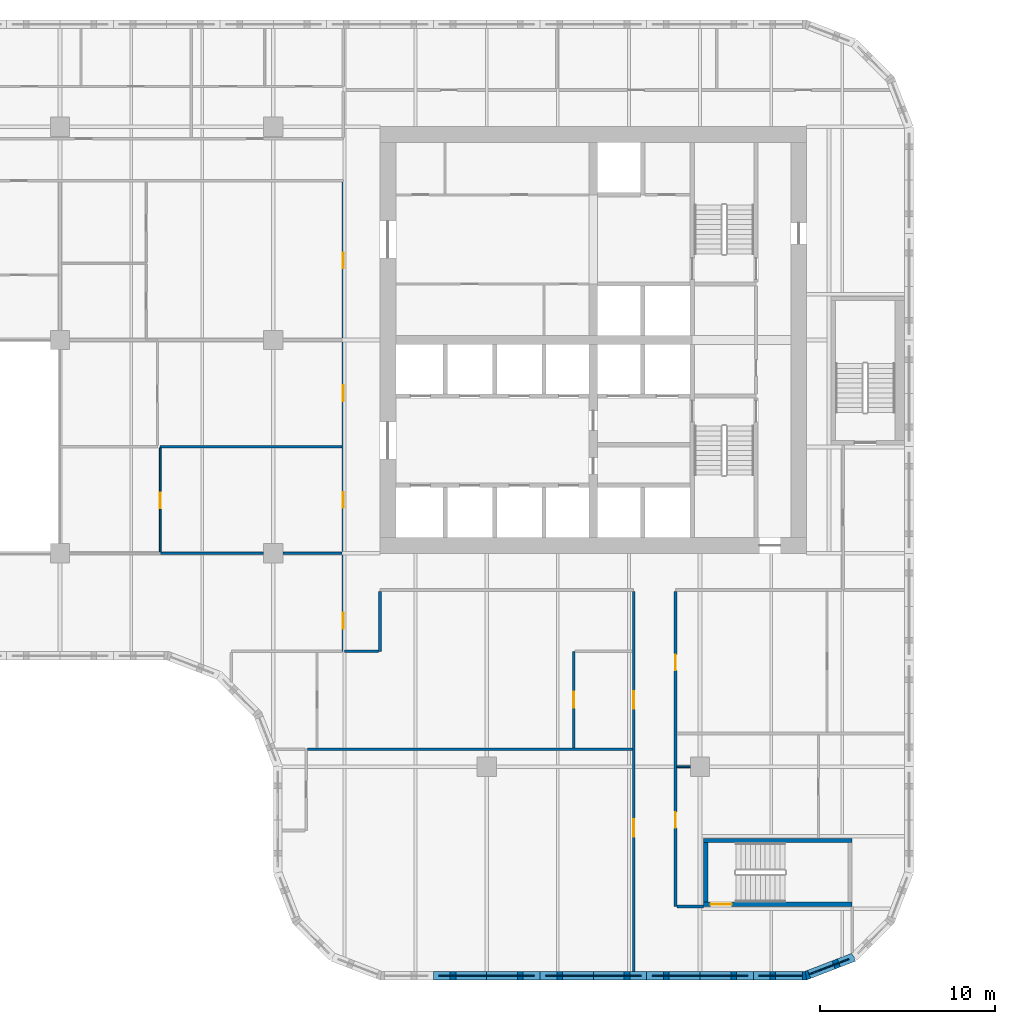
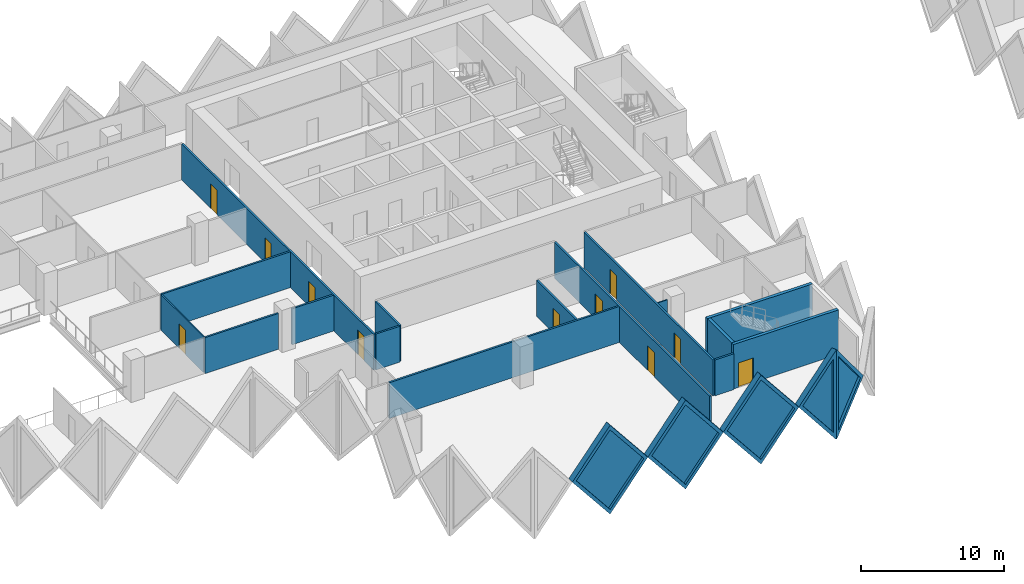
# One storey, part 5 of 18: 21 walls, 11 doors, 5 plates, 16 openings.
"""IFC4 building model written with IfcOpenShell, lengths in metres."""

from ifc_helpers import new_model, si_unit, direction, frame, frame_2d, origin, place, context, subcontext, project, spatial, polyline, rectangle, outline, extrude, faceted_brep, source, transform, mapped, material, layer, layer_set, type_object, element, fill, save


model = new_model("IFC4")

# Units and contexts
model_context = context("Model", 3, precision=1e-05, world=origin(), true_north=direction((0.0, 1.0)))
body_context = subcontext(model_context, "Body", "Model", "MODEL_VIEW")
ifc_project = project(units=[si_unit("LENGTHUNIT", "METRE"), si_unit("AREAUNIT", "SQUARE_METRE"), si_unit("VOLUMEUNIT", "CUBIC_METRE"), si_unit("PLANEANGLEUNIT", "RADIAN"), si_unit("MASSUNIT", "GRAM", prefix="KILO")], contexts=[model_context])

# Site, building, storey
site_placement = place(None, origin())
site = spatial("IfcSite", under=ifc_project, at=site_placement, CompositionType="ELEMENT")
building_placement = place(site_placement, origin())
building = spatial("IfcBuilding", under=site, at=building_placement, Name="Tessera Gate Towers", CompositionType="ELEMENT")
storey_placement = place(building_placement, frame((0.0, 0.0, 41.0)))
storey = spatial("IfcBuildingStorey", under=building, at=storey_placement, Name="L09", CompositionType="ELEMENT", Elevation=41.0)

# Wall, opening, door
ifc_material_1 = material(Name="Concrete C40/50", Category="concrete")
ifc_layer_1 = layer(ifc_material_1, 0.25)
ifc_layer_set_1 = layer_set([ifc_layer_1], Name="CORE ENCLOSURE WALL 250")
wall_type_1 = type_object("IfcWallType", Name="CORE ENCLOSURE WALL 250", PredefinedType="SOLIDWALL", material=ifc_layer_set_1)
wall_1_placement = place(storey_placement, frame((57.5, 4.324951171875, 0.0), z_axis=(0.0, 0.0, 1.0), x_axis=(-1.0, 0.0, 0.0)))
wall_1 = element("IfcWall", 1, at=wall_1_placement, inside=storey, type_object=wall_type_1, Name="L09 ST4 enclosure wall", PredefinedType="SOLIDWALL", context=body_context, shape_type="SweptSolid", body=[
    extrude(rectangle(XDim=8.5, YDim=0.25, at=frame_2d((4.25, 0.0))), origin(), (0.0, 0.0, 1.0), 3.800048828125),
])
shared_shape_1 = source(origin(), body_context, "Body", "SweptSolid", [
    extrude(rectangle(XDim=1.199951171875, YDim=2.10009765625, at=frame_2d((0.60009765625, 1.050048828125))), frame((0.0, 0.135009765625, 0.0), z_axis=(0.0, -1.0, 0.0), x_axis=(1.0, 0.0, 0.0)), (0.0, 0.0, 1.0), 0.27001953125),
])
opening_1_placement = place(wall_1_placement, frame((6.89990234375, 0.0, 0.0)))
opening_1 = element("IfcOpeningElement", 2, at=opening_1_placement, cuts=wall_1, Name="Opening SD-ST4-1", PredefinedType="OPENING", context=body_context, shape_type="MappedRepresentation", body=[
    mapped(shared_shape_1, transform((0.0, 0.0, 0.0), scale=1.0)),
])
ifc_material_2 = material(Name="Hollow steel fire door", Category="steel")
door_type_1 = type_object("IfcDoorType", Name="CORE DOOR SD 1200x2100", OperationType="NOTDEFINED", PredefinedType="DOOR", material=ifc_material_2)
shared_shape_2 = source(origin(), body_context, "Body", "SweptSolid", [
    extrude(rectangle(XDim=1.199951171875, YDim=2.10009765625, at=frame_2d((0.60009765625, 1.050048828125))), frame((0.0, 0.02490234375, 0.0), z_axis=(0.0, -1.0, 0.0), x_axis=(1.0, 0.0, 0.0)), (0.0, 0.0, 1.0), 0.050048828125),
])
door_1_placement = place(opening_1_placement, origin())
door_1 = element("IfcDoor", 3, at=door_1_placement, inside=storey, type_object=door_type_1, Name="Stair door", OperationType="SINGLE_SWING_RIGHT", OverallHeight=2.10009765625, OverallWidth=1.199951171875, PredefinedType="DOOR", context=body_context, shape_type="MappedRepresentation", body=[
    mapped(shared_shape_2, transform((0.0, 0.0, 0.0), scale=1.0)),
])
fill(opening_1, door_1)

# Walls
wall_2_placement = place(storey_placement, frame((49.125, 4.449951171875, 0.0), z_axis=(0.0, 0.0, 1.0), x_axis=(0.0, 1.0, 0.0)))
element("IfcWall", 4, at=wall_2_placement, inside=storey, type_object=wall_type_1, Name="L09 ST4 enclosure wall", PredefinedType="SOLIDWALL", context=body_context, shape_type="SweptSolid", body=[
    extrude(rectangle(XDim=3.400146484375, YDim=0.25, at=frame_2d((1.7001953125, 0.0))), origin(), (0.0, 0.0, 1.0), 3.800048828125),
])
wall_3_placement = place(storey_placement, frame((49.0, 7.97509765625, 0.0), z_axis=(0.0, 0.0, 1.0), x_axis=(1.0, 0.0, 0.0)))
element("IfcWall", 5, at=wall_3_placement, inside=storey, type_object=wall_type_1, Name="L09 ST4 enclosure wall", PredefinedType="SOLIDWALL", context=body_context, shape_type="SweptSolid", body=[
    extrude(rectangle(XDim=8.5, YDim=0.25, at=frame_2d((4.25, 0.0))), origin(), (0.0, 0.0, 1.0), 3.800048828125),
])

# Wall, openings, doors
ifc_material_3 = material(Name="Gypsum board on steel studs, mineral wool", Category="steel")
ifc_layer_2 = layer(ifc_material_3, 0.14990234375)
ifc_layer_set_2 = layer_set([ifc_layer_2], Name="CORRIDOR WALL 150")
wall_type_2 = type_object("IfcWallType", Name="CORRIDOR WALL 150", PredefinedType="PARTITIONING", material=ifc_layer_set_2)
wall_4_placement = place(storey_placement, frame((45.0, 0.5, 0.0), z_axis=(0.0, 0.0, 1.0), x_axis=(0.0, 1.0, 0.0)))
wall_4 = element("IfcWall", 6, at=wall_4_placement, inside=storey, type_object=wall_type_2, Name="T1-L09-PW-001", PredefinedType="PARTITIONING", context=body_context, shape_type="SweptSolid", body=[
    extrude(rectangle(XDim=21.72412109375, YDim=0.14990234375, at=frame_2d((10.862060546875, 0.0))), origin(), (0.0, 0.0, 1.0), 3.06689453125),
])
shared_shape_3 = source(origin(), body_context, "Body", "SweptSolid", [
    extrude(rectangle(XDim=1.0, YDim=2.10009765625, at=frame_2d((0.5, 1.050048828125))), frame((0.0, 0.0849609375, 0.0), z_axis=(0.0, -1.0, 0.0), x_axis=(1.0, 0.0, 0.0)), (0.0, 0.0, 1.0), 0.169921875),
])
opening_2_placement = place(wall_4_placement, frame((15.0009765625, 0.0, 0.0)))
opening_2 = element("IfcOpeningElement", 7, at=opening_2_placement, cuts=wall_4, Name="Opening D2100FD60-A03-01", PredefinedType="OPENING", context=body_context, shape_type="MappedRepresentation", body=[
    mapped(shared_shape_3, transform((0.0, 0.0, 0.0), scale=1.0)),
])
opening_3_placement = place(wall_4_placement, frame((7.699951171875, 0.0, 0.0)))
opening_3 = element("IfcOpeningElement", 8, at=opening_3_placement, cuts=wall_4, Name="Opening D2100FD60-A03-02", PredefinedType="OPENING", context=body_context, shape_type="MappedRepresentation", body=[
    mapped(shared_shape_3, transform((0.0, 0.0, 0.0), scale=1.0)),
])
ifc_material_4 = material(Name="Timber door leaf in steel frame", Category="steel")
door_type_2 = type_object("IfcDoorType", Name="TENANCY ENTRANCE DOOR 1000 FD60", OperationType="NOTDEFINED", PredefinedType="DOOR", material=ifc_material_4)
shared_shape_4 = source(origin(), body_context, "Body", "SweptSolid", [
    extrude(rectangle(XDim=1.0, YDim=2.10009765625, at=frame_2d((0.5, 1.050048828125))), frame((0.0, 0.02490234375, 0.0), z_axis=(0.0, -1.0, 0.0), x_axis=(1.0, 0.0, 0.0)), (0.0, 0.0, 1.0), 0.050048828125),
])
door_2_placement = place(opening_2_placement, origin())
door_2 = element("IfcDoor", 9, at=door_2_placement, inside=storey, type_object=door_type_2, Name="T1-L09-PD-010", OperationType="SINGLE_SWING_LEFT", OverallHeight=2.10009765625, OverallWidth=1.0, PredefinedType="DOOR", context=body_context, shape_type="MappedRepresentation", body=[
    mapped(shared_shape_4, transform((0.0, 0.0, 0.0), scale=1.0)),
])
fill(opening_2, door_2)
door_3_placement = place(opening_3_placement, origin())
door_3 = element("IfcDoor", 10, at=door_3_placement, inside=storey, type_object=door_type_2, Name="T1-L09-PD-024", OperationType="SINGLE_SWING_LEFT", OverallHeight=2.10009765625, OverallWidth=1.0, PredefinedType="DOOR", context=body_context, shape_type="MappedRepresentation", body=[
    mapped(shared_shape_4, transform((0.0, 0.0, 0.0), scale=1.0)),
])
fill(opening_3, door_3)

wall_5_placement = place(storey_placement, frame((47.39990234375, 22.22412109375, 0.0), z_axis=(0.0, 0.0, 1.0), x_axis=(0.0, -1.0, 0.0)))
wall_5 = element("IfcWall", 11, at=wall_5_placement, inside=storey, type_object=wall_type_2, Name="T1-L09-PW-003", PredefinedType="PARTITIONING", context=body_context, shape_type="SweptSolid", body=[
    extrude(rectangle(XDim=18.024169921875, YDim=0.14990234375, at=frame_2d((9.01220703125, 0.0))), origin(), (0.0, 0.0, 1.0), 3.06689453125),
])
shared_shape_5 = source(origin(), body_context, "Body", "SweptSolid", [
    extrude(rectangle(XDim=0.89990234375, YDim=2.10009765625, at=frame_2d((0.449951171875, 1.050048828125))), frame((0.0, 0.0849609375, 0.0), z_axis=(0.0, -1.0, 0.0), x_axis=(1.0, 0.0, 0.0)), (0.0, 0.0, 1.0), 0.169921875),
])
opening_4_placement = place(wall_5_placement, frame((3.623046875, 0.0, 0.0)))
opening_4 = element("IfcOpeningElement", 12, at=opening_4_placement, cuts=wall_5, Name="Opening D890FD60-A03-05", PredefinedType="OPENING", context=body_context, shape_type="MappedRepresentation", body=[
    mapped(shared_shape_5, transform((0.0, 0.0, 0.0), scale=1.0)),
])
opening_5_placement = place(wall_5_placement, frame((12.6240234375, 0.0, 0.0)))
opening_5 = element("IfcOpeningElement", 13, at=opening_5_placement, cuts=wall_5, Name="Opening D890FD60-A03-10", PredefinedType="OPENING", context=body_context, shape_type="MappedRepresentation", body=[
    mapped(shared_shape_5, transform((0.0, 0.0, 0.0), scale=1.0)),
])
ifc_material_5 = material(Name="Timber door leaf in steel frame", Category="steel")
door_type_3 = type_object("IfcDoorType", Name="CORRIDOR DOOR 900 FD60", OperationType="NOTDEFINED", PredefinedType="DOOR", material=ifc_material_5)
shared_shape_6 = source(origin(), body_context, "Body", "SweptSolid", [
    extrude(rectangle(XDim=0.89990234375, YDim=2.10009765625, at=frame_2d((0.449951171875, 1.050048828125))), frame((0.0, 0.02490234375, 0.0), z_axis=(0.0, -1.0, 0.0), x_axis=(1.0, 0.0, 0.0)), (0.0, 0.0, 1.0), 0.050048828125),
])
door_4_placement = place(opening_4_placement, origin())
door_4 = element("IfcDoor", 14, at=door_4_placement, inside=storey, type_object=door_type_3, Name="T1-L09-PD-020", OperationType="SINGLE_SWING_RIGHT", OverallHeight=2.10009765625, OverallWidth=0.89990234375, PredefinedType="DOOR", context=body_context, shape_type="MappedRepresentation", body=[
    mapped(shared_shape_6, transform((0.0, 0.0, 0.0), scale=1.0)),
])
fill(opening_4, door_4)
door_5_placement = place(opening_5_placement, origin())
door_5 = element("IfcDoor", 15, at=door_5_placement, inside=storey, type_object=door_type_3, Name="T1-L09-PD-027", OperationType="SINGLE_SWING_RIGHT", OverallHeight=2.10009765625, OverallWidth=0.89990234375, PredefinedType="DOOR", context=body_context, shape_type="MappedRepresentation", body=[
    mapped(shared_shape_6, transform((0.0, 0.0, 0.0), scale=1.0)),
])
fill(opening_5, door_5)

# Wall
wall_6_placement = place(storey_placement, frame((47.47607421875, 4.199951171875, 0.0), z_axis=(0.0, 0.0, 1.0), x_axis=(1.0, 0.0, 0.0)))
element("IfcWall", 16, at=wall_6_placement, inside=storey, type_object=wall_type_2, Name="T1-L09-PW-004", PredefinedType="PARTITIONING", context=body_context, shape_type="SweptSolid", body=[
    extrude(rectangle(XDim=1.52392578125, YDim=0.14990234375, at=frame_2d((0.761962890625, 0.0))), origin(), (0.0, 0.0, 1.0), 3.06689453125),
])

# Wall, openings, doors
wall_7_placement = place(storey_placement, frame((28.39990234375, 18.800048828125, 0.0), z_axis=(0.0, 0.0, 1.0), x_axis=(0.0, 1.0, 0.0)))
wall_7 = element("IfcWall", 17, at=wall_7_placement, inside=storey, type_object=wall_type_2, Name="T1-L09-PW-017", PredefinedType="PARTITIONING", context=body_context, shape_type="SweptSolid", body=[
    extrude(rectangle(XDim=26.823974609375, YDim=0.14990234375, at=frame_2d((13.412109375, 0.0))), origin(), (0.0, 0.0, 1.0), 3.06689453125),
])
opening_6_placement = place(wall_7_placement, frame((1.300048828125, 0.0, 0.0)))
opening_6 = element("IfcOpeningElement", 18, at=opening_6_placement, cuts=wall_7, Name="Opening D890FD60-A03-01", PredefinedType="OPENING", context=body_context, shape_type="MappedRepresentation", body=[
    mapped(shared_shape_5, transform((0.0, 0.0, 0.0), scale=1.0)),
])
opening_7_placement = place(wall_7_placement, frame((14.301025390625, 0.0, 0.0)))
opening_7 = element("IfcOpeningElement", 19, at=opening_7_placement, cuts=wall_7, Name="Opening D890FD60-A03-03", PredefinedType="OPENING", context=body_context, shape_type="MappedRepresentation", body=[
    mapped(shared_shape_5, transform((0.0, 0.0, 0.0), scale=1.0)),
])
opening_8_placement = place(wall_7_placement, frame((8.199951171875, 0.0, 0.0)))
opening_8 = element("IfcOpeningElement", 20, at=opening_8_placement, cuts=wall_7, Name="Opening D890FD60-A03-04", PredefinedType="OPENING", context=body_context, shape_type="MappedRepresentation", body=[
    mapped(shared_shape_5, transform((0.0, 0.0, 0.0), scale=1.0)),
])
opening_9_placement = place(wall_7_placement, frame((21.89990234375, 0.0, 0.0)))
opening_9 = element("IfcOpeningElement", 21, at=opening_9_placement, cuts=wall_7, Name="Opening D890FD60-A03-08", PredefinedType="OPENING", context=body_context, shape_type="MappedRepresentation", body=[
    mapped(shared_shape_5, transform((0.0, 0.0, 0.0), scale=1.0)),
])
door_6_placement = place(opening_6_placement, origin())
door_6 = element("IfcDoor", 22, at=door_6_placement, inside=storey, type_object=door_type_3, Name="T1-L09-PD-001", OperationType="SINGLE_SWING_LEFT", OverallHeight=2.10009765625, OverallWidth=0.89990234375, PredefinedType="DOOR", context=body_context, shape_type="MappedRepresentation", body=[
    mapped(shared_shape_6, transform((0.0, 0.0, 0.0), scale=1.0)),
])
fill(opening_6, door_6)
door_7_placement = place(opening_7_placement, origin())
door_7 = element("IfcDoor", 23, at=door_7_placement, inside=storey, type_object=door_type_3, Name="T1-L09-PD-016", OperationType="SINGLE_SWING_LEFT", OverallHeight=2.10009765625, OverallWidth=0.89990234375, PredefinedType="DOOR", context=body_context, shape_type="MappedRepresentation", body=[
    mapped(shared_shape_6, transform((0.0, 0.0, 0.0), scale=1.0)),
])
fill(opening_7, door_7)
door_8_placement = place(opening_8_placement, origin())
door_8 = element("IfcDoor", 24, at=door_8_placement, inside=storey, type_object=door_type_3, Name="T1-L09-PD-017", OperationType="SINGLE_SWING_LEFT", OverallHeight=2.10009765625, OverallWidth=0.89990234375, PredefinedType="DOOR", context=body_context, shape_type="MappedRepresentation", body=[
    mapped(shared_shape_6, transform((0.0, 0.0, 0.0), scale=1.0)),
])
fill(opening_8, door_8)
door_9_placement = place(opening_9_placement, origin())
door_9 = element("IfcDoor", 25, at=door_9_placement, inside=storey, type_object=door_type_3, Name="T1-L09-PD-025", OperationType="SINGLE_SWING_LEFT", OverallHeight=2.10009765625, OverallWidth=0.89990234375, PredefinedType="DOOR", context=body_context, shape_type="MappedRepresentation", body=[
    mapped(shared_shape_6, transform((0.0, 0.0, 0.0), scale=1.0)),
])
fill(opening_9, door_9)

# Walls
wall_8_placement = place(storey_placement, frame((28.47607421875, 18.800048828125, 0.0), z_axis=(0.0, 0.0, 1.0), x_axis=(1.0, 0.0, 0.0)))
element("IfcWall", 26, at=wall_8_placement, inside=storey, type_object=wall_type_2, Name="T1-L09-PW-018", PredefinedType="PARTITIONING", context=body_context, shape_type="SweptSolid", body=[
    extrude(rectangle(XDim=1.947998046875, YDim=0.14990234375, at=frame_2d((0.97412109375, 0.0))), origin(), (0.0, 0.0, 1.0), 3.06689453125),
])
wall_9_placement = place(storey_placement, frame((30.5, 18.800048828125, 0.0), z_axis=(0.0, 0.0, 1.0), x_axis=(0.0, 1.0, 0.0)))
element("IfcWall", 27, at=wall_9_placement, inside=storey, type_object=wall_type_2, Name="T1-L09-PW-019", PredefinedType="PARTITIONING", context=body_context, shape_type="SweptSolid", body=[
    extrude(rectangle(XDim=3.424072265625, YDim=0.14990234375, at=frame_2d((1.7119140625, 0.0))), origin(), (0.0, 0.0, 1.0), 3.06689453125),
])

# Wall, opening, door
ifc_material_6 = material(Name="Glass", Category="glass")
ifc_layer_3 = layer(ifc_material_6, 0.10009765625)
ifc_layer_set_3 = layer_set([ifc_layer_3], Name="GLAZED PARTITION 100")
wall_type_3 = type_object("IfcWallType", Name="GLAZED PARTITION 100", PredefinedType="PARTITIONING", material=ifc_layer_set_3)
wall_10_placement = place(storey_placement, frame((17.925048828125, 24.47607421875, 0.0), z_axis=(0.0, 0.0, 1.0), x_axis=(0.0, 1.0, 0.0)))
wall_10 = element("IfcWall", 28, at=wall_10_placement, inside=storey, type_object=wall_type_3, Name="T1-L09-PW-029", PredefinedType="PARTITIONING", context=body_context, shape_type="SweptSolid", body=[
    extrude(rectangle(XDim=5.947998046875, YDim=0.10009765625, at=frame_2d((2.97412109375, 0.0))), origin(), (0.0, 0.0, 1.0), 3.06689453125),
])
shared_shape_7 = source(origin(), body_context, "Body", "SweptSolid", [
    extrude(rectangle(XDim=0.89990234375, YDim=2.10009765625, at=frame_2d((0.449951171875, 1.050048828125))), frame((0.0, 0.06005859375, 0.0), z_axis=(0.0, -1.0, 0.0), x_axis=(1.0, 0.0, 0.0)), (0.0, 0.0, 1.0), 0.1201171875),
])
opening_10_placement = place(wall_10_placement, frame((2.5, 0.0, 0.0)))
opening_10 = element("IfcOpeningElement", 29, at=opening_10_placement, cuts=wall_10, Name="Opening D690-A03-02", PredefinedType="OPENING", context=body_context, shape_type="MappedRepresentation", body=[
    mapped(shared_shape_7, transform((0.0, 0.0, 0.0), scale=1.0)),
])
ifc_material_7 = material(Name="Glass in aluminium frame", Category="aluminium")
door_type_4 = type_object("IfcDoorType", Name="GLAZED DOOR 900 NOT RATED", OperationType="NOTDEFINED", PredefinedType="DOOR", material=ifc_material_7)
door_10_placement = place(opening_10_placement, origin())
door_10 = element("IfcDoor", 30, at=door_10_placement, inside=storey, type_object=door_type_4, Name="T1-L09-PD-013", OperationType="SINGLE_SWING_LEFT", OverallHeight=2.10009765625, OverallWidth=0.89990234375, PredefinedType="DOOR", context=body_context, shape_type="MappedRepresentation", body=[
    mapped(shared_shape_6, transform((0.0, 0.0, 0.0), scale=1.0)),
])
fill(opening_10, door_10)

# Walls
ifc_material_8 = material(Name="Gypsum board on steel studs", Category="steel")
ifc_layer_4 = layer(ifc_material_8, 0.10009765625)
ifc_layer_set_4 = layer_set([ifc_layer_4], Name="PARTITION 100")
wall_type_4 = type_object("IfcWallType", Name="PARTITION 100", PredefinedType="PARTITIONING", material=ifc_layer_set_4)
wall_11_placement = place(storey_placement, frame((48.25, 12.199951171875, 0.0), z_axis=(0.0, 0.0, 1.0), x_axis=(-1.0, 0.0, 0.0)))
element("IfcWall", 31, at=wall_11_placement, inside=storey, type_object=wall_type_4, Name="T1-L09-PW-008", PredefinedType="PARTITIONING", context=body_context, shape_type="SweptSolid", body=[
    extrude(rectangle(XDim=0.77490234375, YDim=0.10009765625, at=frame_2d((0.387451171875, 0.0))), origin(), (0.0, 0.0, 1.0), 3.06689453125),
])
ifc_material_9 = material(Name="Gypsum board on steel studs, mineral wool", Category="steel")
ifc_layer_5 = layer(ifc_material_9, 0.14990234375)
ifc_layer_set_5 = layer_set([ifc_layer_5], Name="TENANCY WALL 150")
wall_type_5 = type_object("IfcWallType", Name="TENANCY WALL 150", PredefinedType="PARTITIONING", material=ifc_layer_set_5)
wall_12_placement = place(storey_placement, frame((26.35107421875, 13.199951171875, 0.0), z_axis=(0.0, 0.0, 1.0), x_axis=(1.0, 0.0, 0.0)))
element("IfcWall", 32, at=wall_12_placement, inside=storey, type_object=wall_type_5, Name="T1-L09-PW-010", PredefinedType="PARTITIONING", context=body_context, shape_type="SweptSolid", body=[
    extrude(rectangle(XDim=18.572998046875, YDim=0.14990234375, at=frame_2d((9.28662109375, 0.0))), origin(), (0.0, 0.0, 1.0), 3.06689453125),
])

# Wall, opening, door
wall_13_placement = place(storey_placement, frame((41.574951171875, 13.27587890625, 0.0), z_axis=(0.0, 0.0, 1.0), x_axis=(0.0, 1.0, 0.0)))
wall_13 = element("IfcWall", 33, at=wall_13_placement, inside=storey, type_object=wall_type_5, Name="T1-L09-PW-012", PredefinedType="PARTITIONING", context=body_context, shape_type="SweptSolid", body=[
    extrude(rectangle(XDim=5.524169921875, YDim=0.14990234375, at=frame_2d((2.76220703125, 0.0))), origin(), (0.0, 0.0, 1.0), 3.06689453125),
])
opening_11_placement = place(wall_13_placement, frame((2.300048828125, 0.0, 0.0)))
opening_11 = element("IfcOpeningElement", 34, at=opening_11_placement, cuts=wall_13, Name="Opening D190-A03-11", PredefinedType="OPENING", context=body_context, shape_type="MappedRepresentation", body=[
    mapped(shared_shape_5, transform((0.0, 0.0, 0.0), scale=1.0)),
])
ifc_material_10 = material(Name="Timber door leaf in steel frame", Category="steel")
door_type_5 = type_object("IfcDoorType", Name="INTERNAL DOOR 900 NOT RATED", OperationType="NOTDEFINED", PredefinedType="DOOR", material=ifc_material_10)
door_11_placement = place(opening_11_placement, origin())
door_11 = element("IfcDoor", 35, at=door_11_placement, inside=storey, type_object=door_type_5, Name="T1-L09-PD-023", OperationType="SINGLE_SWING_LEFT", OverallHeight=2.10009765625, OverallWidth=0.89990234375, PredefinedType="DOOR", context=body_context, shape_type="MappedRepresentation", body=[
    mapped(shared_shape_6, transform((0.0, 0.0, 0.0), scale=1.0)),
])
fill(opening_11, door_11)

# Walls
wall_14_placement = place(storey_placement, frame((17.925048828125, 24.39990234375, 0.0), z_axis=(0.0, 0.0, 1.0), x_axis=(1.0, 0.0, 0.0)))
element("IfcWall", 36, at=wall_14_placement, inside=storey, type_object=wall_type_5, Name="T1-L09-PW-027", PredefinedType="PARTITIONING", context=body_context, shape_type="SweptSolid", body=[
    extrude(rectangle(XDim=5.924072265625, YDim=0.14990234375, at=frame_2d((2.9619140625, 0.0))), origin(), (0.0, 0.0, 1.0), 3.06689453125),
])
wall_15_placement = place(storey_placement, frame((24.950927734375, 24.39990234375, 0.0), z_axis=(0.0, 0.0, 1.0), x_axis=(1.0, 0.0, 0.0)))
element("IfcWall", 37, at=wall_15_placement, inside=storey, type_object=wall_type_5, Name="T1-L09-PW-028", PredefinedType="PARTITIONING", context=body_context, shape_type="SweptSolid", body=[
    extrude(rectangle(XDim=3.373046875, YDim=0.14990234375, at=frame_2d((1.6865234375, 0.0))), origin(), (0.0, 0.0, 1.0), 3.06689453125),
])
wall_16_placement = place(storey_placement, frame((17.925048828125, 30.5, 0.0), z_axis=(0.0, 0.0, 1.0), x_axis=(1.0, 0.0, 0.0)))
element("IfcWall", 38, at=wall_16_placement, inside=storey, type_object=wall_type_5, Name="T1-L09-PW-031", PredefinedType="PARTITIONING", context=body_context, shape_type="SweptSolid", body=[
    extrude(rectangle(XDim=10.39892578125, YDim=0.14990234375, at=frame_2d((5.199462890625, 0.0))), origin(), (0.0, 0.0, 1.0), 3.06689453125),
])

# Wall, opening, plate
ifc_material_11 = material(Name="Precast concrete C60/75 white", Category="concrete")
ifc_layer_6 = layer(ifc_material_11, 0.5)
ifc_layer_set_6 = layer_set([ifc_layer_6], Name="TS1 tessera")
wall_type_6 = type_object("IfcWallType", Name="TS1 tessera", PredefinedType="SOLIDWALL", material=ifc_layer_set_6)
shared_shape_8 = source(origin(), body_context, "Body", "Brep", [
    faceted_brep([(3.050048828125, -0.25, 0.0), (6.099853515625, -0.25, 3.7998046875), (6.099853515625, -0.25, 3.80029296875), (3.050048828125, -0.25, 7.60009765625), (0.0, -0.25, 3.800048828125), (0.0, 0.25, 3.800048828125), (3.050048828125, 0.25, 7.60009765625), (6.099853515625, 0.25, 3.80029296875), (6.099853515625, 0.25, 3.7998046875), (3.050048828125, 0.25, 0.0)], [[[0, 1, 2, 3, 4]], [[5, 6, 7, 8, 9]], [[9, 8, 1, 0]], [[7, 6, 3, 2]], [[6, 5, 4, 3]], [[5, 9, 0, 4]], [[1, 8, 7, 2]]]),
])
wall_17_placement = place(storey_placement, frame((33.550048828125, 0.25, -3.800048828125), z_axis=(0.0, 0.0, 1.0), x_axis=(1.0, 0.0, 0.0)))
wall_17 = element("IfcWall", 39, at=wall_17_placement, inside=storey, type_object=wall_type_6, Name="Precast tessera T1 TS1-0092", PredefinedType="SOLIDWALL", context=body_context, shape_type="MappedRepresentation", body=[
    mapped(shared_shape_8, transform((0.0, 0.0, 0.0), scale=1.0)),
])
shared_shape_9 = source(origin(), body_context, "Body", "SweptSolid", [
    extrude(outline(polyline([(3.050048828125, 0.3994140625), (5.779541015625, 3.800048828125), (3.050048828125, 7.20068359375), (0.320556640625, 3.800048828125), (3.050048828125, 0.3994140625)])), frame((0.0, 0.260009765625, 0.0), z_axis=(0.0, -1.0, 0.0), x_axis=(1.0, 0.0, 0.0)), (0.0, 0.0, 1.0), 0.52001953125),
])
opening_12_placement = place(wall_17_placement, origin())
opening_12 = element("IfcOpeningElement", 40, at=opening_12_placement, cuts=wall_17, Name="Opening T1-PL2-0190", PredefinedType="OPENING", context=body_context, shape_type="MappedRepresentation", body=[
    mapped(shared_shape_9, transform((0.0, 0.0, 0.0), scale=1.0)),
])
ifc_material_12 = material(Name="Low-e laminated glass", Category="glass")
ifc_layer_7 = layer(ifc_material_12, 0.06005859375)
ifc_layer_set_7 = layer_set([ifc_layer_7], Name="PL2 rhombic pane")
plate_type = type_object("IfcPlateType", Name="PL2 rhombic pane", PredefinedType="SHEET", material=ifc_layer_set_7)
shared_shape_10 = source(origin(), body_context, "Body", "SweptSolid", [
    extrude(outline(polyline([(3.050048828125, 0.3994140625), (5.779541015625, 3.800048828125), (3.050048828125, 7.20068359375), (0.320556640625, 3.800048828125), (3.050048828125, 0.3994140625)])), frame((0.0, 0.030029296875, 0.0), z_axis=(0.0, -1.0, 0.0), x_axis=(1.0, 0.0, 0.0)), (0.0, 0.0, 1.0), 0.06005859375),
])
plate_1_placement = place(opening_12_placement, origin())
plate_1 = element("IfcPlate", 41, at=plate_1_placement, inside=storey, type_object=plate_type, Name="Glass pane T1 PL2-0190", PredefinedType="SHEET", context=body_context, shape_type="MappedRepresentation", body=[
    mapped(shared_shape_10, transform((0.0, 0.0, 0.0), scale=1.0)),
])
fill(opening_12, plate_1)

shared_shape_11 = source(origin(), body_context, "Body", "SweptSolid", [
    extrude(outline(polyline([(3.050048828125, 0.0), (6.10009765625, 3.800048828125), (3.050048828125, 7.60009765625), (0.0, 3.800048828125), (3.050048828125, 0.0)])), frame((0.0, 0.25, 0.0), z_axis=(0.0, -1.0, 0.0), x_axis=(1.0, 0.0, 0.0)), (0.0, 0.0, 1.0), 0.5),
])
wall_18_placement = place(storey_placement, frame((39.64990234375, 0.25, -3.800048828125), z_axis=(0.0, 0.0, 1.0), x_axis=(1.0, 0.0, 0.0)))
wall_18 = element("IfcWall", 42, at=wall_18_placement, inside=storey, type_object=wall_type_6, Name="Precast tessera T1 TS1-0093", PredefinedType="SOLIDWALL", context=body_context, shape_type="MappedRepresentation", body=[
    mapped(shared_shape_11, transform((0.0, 0.0, 0.0), scale=1.0)),
])
opening_13_placement = place(wall_18_placement, origin())
opening_13 = element("IfcOpeningElement", 43, at=opening_13_placement, cuts=wall_18, Name="Opening T1-PL2-0191", PredefinedType="OPENING", context=body_context, shape_type="MappedRepresentation", body=[
    mapped(shared_shape_9, transform((0.0, 0.0, 0.0), scale=1.0)),
])
plate_2_placement = place(opening_13_placement, origin())
plate_2 = element("IfcPlate", 44, at=plate_2_placement, inside=storey, type_object=plate_type, Name="Glass pane T1 PL2-0191", PredefinedType="SHEET", context=body_context, shape_type="MappedRepresentation", body=[
    mapped(shared_shape_10, transform((0.0, 0.0, 0.0), scale=1.0)),
])
fill(opening_13, plate_2)

wall_19_placement = place(storey_placement, frame((45.75, 0.25, -3.800048828125), z_axis=(0.0, 0.0, 1.0), x_axis=(1.0, 0.0, 0.0)))
wall_19 = element("IfcWall", 45, at=wall_19_placement, inside=storey, type_object=wall_type_6, Name="Precast tessera T1 TS1-0094", PredefinedType="SOLIDWALL", context=body_context, shape_type="MappedRepresentation", body=[
    mapped(shared_shape_11, transform((0.0, 0.0, 0.0), scale=1.0)),
])
opening_14_placement = place(wall_19_placement, origin())
opening_14 = element("IfcOpeningElement", 46, at=opening_14_placement, cuts=wall_19, Name="Opening T1-PL2-0192", PredefinedType="OPENING", context=body_context, shape_type="MappedRepresentation", body=[
    mapped(shared_shape_9, transform((0.0, 0.0, 0.0), scale=1.0)),
])
plate_3_placement = place(opening_14_placement, origin())
plate_3 = element("IfcPlate", 47, at=plate_3_placement, inside=storey, type_object=plate_type, Name="Glass pane T1 PL2-0192", PredefinedType="SHEET", context=body_context, shape_type="MappedRepresentation", body=[
    mapped(shared_shape_10, transform((0.0, 0.0, 0.0), scale=1.0)),
])
fill(opening_14, plate_3)

ifc_material_13 = material(Name="Precast concrete C60/75 white", Category="concrete")
ifc_layer_8 = layer(ifc_material_13, 0.5)
ifc_layer_set_8 = layer_set([ifc_layer_8], Name="TS3 corner tessera")
wall_type_7 = type_object("IfcWallType", Name="TS3 corner tessera", PredefinedType="SOLIDWALL", material=ifc_layer_set_8)
shared_shape_12 = source(origin(), body_context, "Body", "Brep", [
    faceted_brep([(3.00341796875, -0.25, 0.0), (3.050048828125, -0.25, 0.06005859375), (3.050048828125, -0.25, 7.5400390625), (3.00341796875, -0.25, 7.60009765625), (0.0, -0.25, 3.800048828125), (0.0, 0.25, 3.800048828125), (2.956787109375, 0.25, 7.541259765625), (2.956787109375, 0.25, 0.058837890625), (3.00341796875, 0.000244140625, 0.0), (3.00341796875, 0.000244140625, 7.60009765625)], [[[0, 1, 2, 3, 4]], [[5, 6, 7]], [[1, 0, 8]], [[9, 3, 2]], [[6, 5, 4, 3, 9]], [[5, 7, 8, 0, 4]], [[1, 8, 7, 6, 9, 2]]]),
])
wall_20_placement = place(storey_placement, frame((51.85009765625, 0.25, -3.800048828125), z_axis=(0.0, 0.0, 1.0), x_axis=(1.0, 0.0, 0.0)))
wall_20 = element("IfcWall", 48, at=wall_20_placement, inside=storey, type_object=wall_type_7, Name="Precast corner tessera T1 TS3-0171", PredefinedType="SOLIDWALL", context=body_context, shape_type="MappedRepresentation", body=[
    mapped(shared_shape_12, transform((0.0, 0.0, 0.0), scale=1.0)),
])
shared_shape_13 = source(origin(), body_context, "Body", "SweptSolid", [
    extrude(outline(polyline([(2.803466796875, 6.94384765625), (0.318603515625, 3.800048828125), (2.803466796875, 0.65625), (2.803466796875, 6.94384765625)])), frame((0.0, 0.260009765625, 0.0), z_axis=(0.0, -1.0, 0.0), x_axis=(1.0, 0.0, 0.0)), (0.0, 0.0, 1.0), 0.52001953125),
])
opening_15_placement = place(wall_20_placement, origin())
opening_15 = element("IfcOpeningElement", 49, at=opening_15_placement, cuts=wall_20, Name="Opening T1-PL2-0193", PredefinedType="OPENING", context=body_context, shape_type="MappedRepresentation", body=[
    mapped(shared_shape_13, transform((0.0, 0.0, 0.0), scale=1.0)),
])
shared_shape_14 = source(origin(), body_context, "Body", "SweptSolid", [
    extrude(outline(polyline([(2.803466796875, 6.94384765625), (0.318603515625, 3.800048828125), (2.803466796875, 0.65625), (2.803466796875, 6.94384765625)])), frame((0.0, 0.030029296875, 0.0), z_axis=(0.0, -1.0, 0.0), x_axis=(1.0, 0.0, 0.0)), (0.0, 0.0, 1.0), 0.06005859375),
])
plate_4_placement = place(opening_15_placement, origin())
plate_4 = element("IfcPlate", 50, at=plate_4_placement, inside=storey, type_object=plate_type, Name="Glass pane T1 PL2-0193", PredefinedType="SHEET", context=body_context, shape_type="MappedRepresentation", body=[
    mapped(shared_shape_14, transform((0.0, 0.0, 0.0), scale=1.0)),
])
fill(opening_15, plate_4)

shared_shape_15 = source(origin(), body_context, "Body", "Brep", [
    faceted_brep([(0.046630859375, -0.25, 0.0), (2.9970703125, -0.25, 3.800048828125), (0.046630859375, -0.25, 7.60009765625), (0.0, -0.25, 7.541259765625), (0.0, -0.25, 0.058837890625), (0.09326171875, 0.25, 7.5400390625), (2.9443359375, 0.25, 3.8681640625), (2.9443359375, 0.25, 3.73193359375), (0.09326171875, 0.25, 0.06005859375), (2.9970703125, 0.00048828125, 3.800048828125), (0.046630859375, 0.0, 0.0), (0.046630859375, 0.0, 7.60009765625)], [[[0, 1, 2, 3, 4]], [[5, 6, 7, 8]], [[8, 7, 9, 1, 0, 10]], [[6, 5, 11, 2, 1, 9]], [[3, 2, 11]], [[10, 0, 4]], [[8, 10, 4, 3, 11, 5]], [[9, 7, 6]]]),
])
wall_21_placement = place(storey_placement, frame((54.81005859375, 0.233154296875, -3.800048828125), z_axis=(0.0, 0.0, 1.0), x_axis=(0.932990326376, 0.359901446078, 0.0)))
wall_21 = element("IfcWall", 51, at=wall_21_placement, inside=storey, type_object=wall_type_7, Name="Precast corner tessera T1 TS3-0172", PredefinedType="SOLIDWALL", context=body_context, shape_type="MappedRepresentation", body=[
    mapped(shared_shape_15, transform((0.0, 0.0, 0.0), scale=1.0)),
])
shared_shape_16 = source(origin(), body_context, "Body", "SweptSolid", [
    extrude(outline(polyline([(0.24658203125, 0.665283203125), (2.6806640625, 3.800048828125), (0.24658203125, 6.934814453125), (0.24658203125, 0.665283203125)])), frame((0.0, 0.260009765625, 0.0), z_axis=(0.0, -1.0, 0.0), x_axis=(1.0, 0.0, 0.0)), (0.0, 0.0, 1.0), 0.52001953125),
])
opening_16_placement = place(wall_21_placement, origin())
opening_16 = element("IfcOpeningElement", 52, at=opening_16_placement, cuts=wall_21, Name="Opening T1-PL2-0194", PredefinedType="OPENING", context=body_context, shape_type="MappedRepresentation", body=[
    mapped(shared_shape_16, transform((0.0, 0.0, 0.0), scale=1.0)),
])
shared_shape_17 = source(origin(), body_context, "Body", "SweptSolid", [
    extrude(outline(polyline([(0.24658203125, 0.665283203125), (2.6806640625, 3.800048828125), (0.24658203125, 6.934814453125), (0.24658203125, 0.665283203125)])), frame((0.0, 0.030029296875, 0.0), z_axis=(0.0, -1.0, 0.0), x_axis=(1.0, 0.0, 0.0)), (0.0, 0.0, 1.0), 0.06005859375),
])
plate_5_placement = place(opening_16_placement, origin())
plate_5 = element("IfcPlate", 53, at=plate_5_placement, inside=storey, type_object=plate_type, Name="Glass pane T1 PL2-0194", PredefinedType="SHEET", context=body_context, shape_type="MappedRepresentation", body=[
    mapped(shared_shape_17, transform((0.0, 0.0, 0.0), scale=1.0)),
])
fill(opening_16, plate_5)

save(model, "model.ifc")
